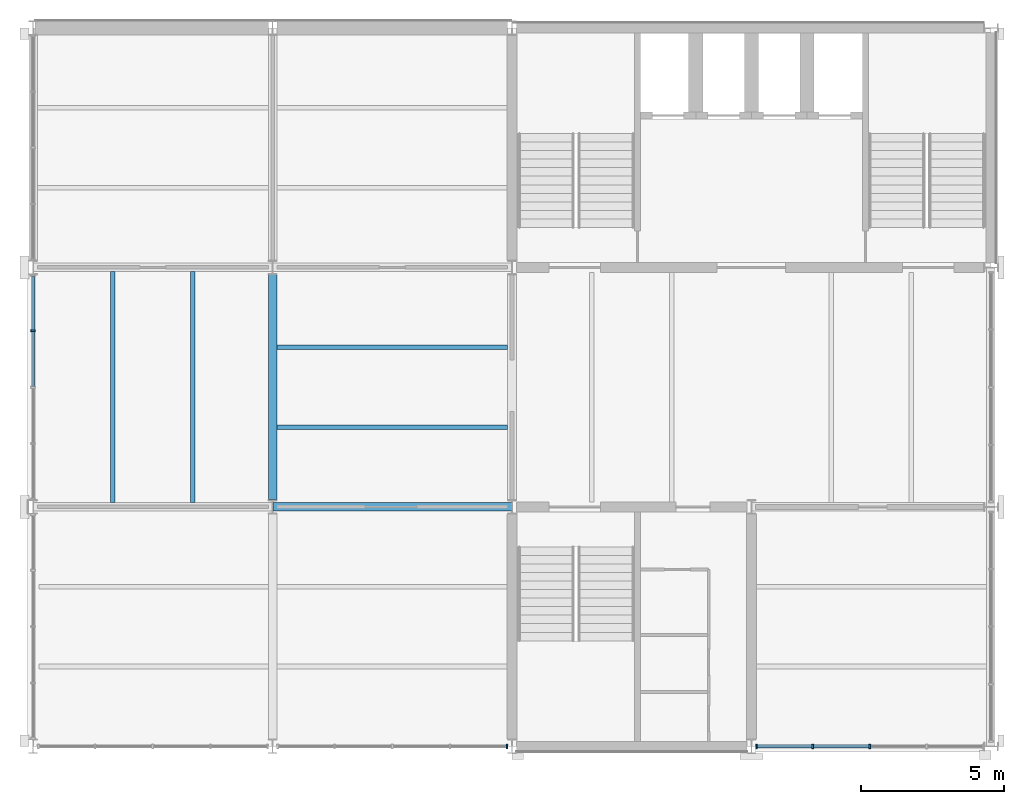
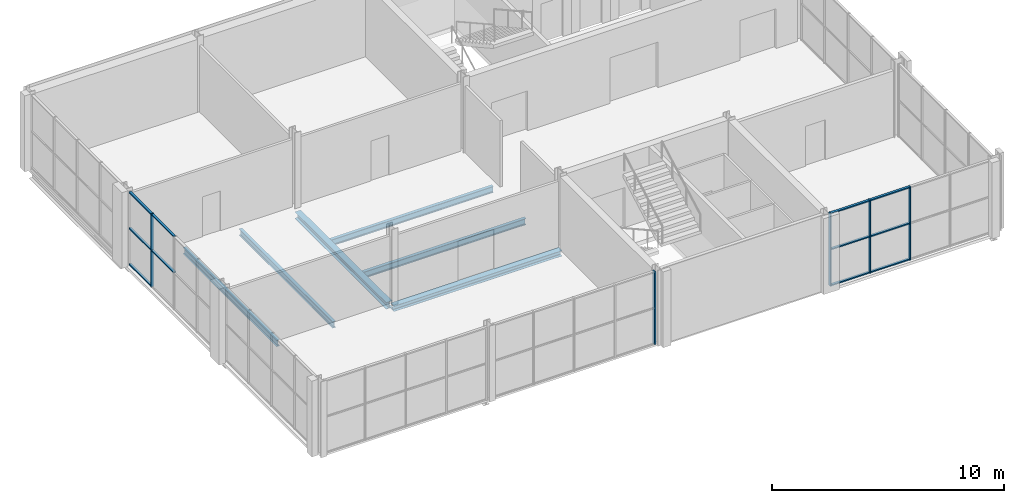
# One storey, part 3 of 12: 16 members, 6 beams, 3 elements without a shape of their own.
"""IFC4 building model written with IfcOpenShell, lengths in metres."""

from ifc_helpers import new_model, si_unit, direction, frame, origin, origin_2d, place, context, subcontext, project, spatial, rectangle, i_section, extrude, material, layer, layer_set, material_profile, profile_set, type_object, element, aggregate, save


model = new_model("IFC4")

# Units and contexts
model_context = context("Model", 3, precision=1e-05, world=origin(), true_north=direction((0.0, 1.0)))
body_context = subcontext(model_context, "Body", "Model", "MODEL_VIEW")
ifc_project = project(units=[si_unit("LENGTHUNIT", "METRE"), si_unit("AREAUNIT", "SQUARE_METRE"), si_unit("VOLUMEUNIT", "CUBIC_METRE"), si_unit("PLANEANGLEUNIT", "RADIAN"), si_unit("MASSUNIT", "GRAM", prefix="KILO")], contexts=[model_context])

# Site, building, storey
site_placement = place(None, origin())
site = spatial("IfcSite", under=ifc_project, at=site_placement, CompositionType="ELEMENT")
building_placement = place(site_placement, origin())
building = spatial("IfcBuilding", under=site, at=building_placement, Name="Galleria Vessillo Department Store", CompositionType="ELEMENT")
storey_placement = place(building_placement, frame((0.0, 0.0, 35.60009765625)))
storey = spatial("IfcBuildingStorey", under=building, at=storey_placement, Name="L07", CompositionType="ELEMENT", Elevation=35.60009765625)

# Curtain wall, member
ifc_material_1 = material(Name="Aluminium and glass curtain wall", Category="aluminium")
ifc_layer = layer(ifc_material_1, 0.159912109375)
ifc_layer_set = layer_set([ifc_layer], Name="Aluminium and glass curtain wall")
curtain_wall_type = type_object("IfcCurtainWallType", Name="Tower curtain wall CW4 2100 module", PredefinedType="NOTDEFINED", material=ifc_layer_set)
curtain_wall_1_placement = place(storey_placement, origin())
curtain_wall_1 = element("IfcCurtainWall", 1, at=curtain_wall_1_placement, inside=storey, type_object=curtain_wall_type, Name="Tower curtain wall CW4 2100 module TW-L07-02", PredefinedType="NOTDEFINED")
ifc_material_2 = material(Name="Aluminium alloy 6063 T6", Category="aluminium")
ifc_material_profile_1 = material_profile(ifc_material_2, rectangle(XDim=0.159912109375, YDim=0.06005859375, at=origin_2d()), Name="AL 60x160")
ifc_profile_set_1 = profile_set([ifc_material_profile_1], Name="Aluminium alloy 6063 T6")
member_type_1 = type_object("IfcMemberType", Name="Aluminium mullion 60 x 160", PredefinedType="MULLION", material=ifc_profile_set_1)
member_1_placement = place(storey_placement, frame((84.0, 52.375, 0.0), z_axis=(0.0, 0.0, 1.0), x_axis=(-1.0, 0.0, 0.0)))
member_1 = element("IfcMember", 2, at=member_1_placement, type_object=member_type_1, Name="CW4 mullion 4", PredefinedType="MULLION", context=body_context, shape_type="SweptSolid", body=[
    extrude(rectangle(XDim=0.159912109375, YDim=0.06005859375, at=origin_2d()), origin(), (0.0, 0.0, 1.0), 3.85009765625),
])

curtain_wall_2_placement = place(storey_placement, origin())
curtain_wall_2 = element("IfcCurtainWall", 3, at=curtain_wall_2_placement, inside=storey, type_object=curtain_wall_type, Name="Tower curtain wall CW4 2100 module TS-L07-02", PredefinedType="NOTDEFINED")
member_2_placement = place(storey_placement, frame((100.6201171875, 37.800048828125, 0.0), z_axis=(0.0, 0.0, 1.0), x_axis=(0.0, 1.0, 0.0)))
member_2 = element("IfcMember", 4, at=member_2_placement, type_object=member_type_1, Name="CW4 mullion 5", PredefinedType="MULLION", context=body_context, shape_type="SweptSolid", body=[
    extrude(rectangle(XDim=0.159912109375, YDim=0.06005859375, at=origin_2d()), origin(), (0.0, 0.0, 1.0), 3.85009765625),
])
aggregate(curtain_wall_2, [member_2])

# Curtain wall, members
curtain_wall_3_placement = place(storey_placement, origin())
curtain_wall_3 = element("IfcCurtainWall", 5, at=curtain_wall_3_placement, inside=storey, type_object=curtain_wall_type, Name="Tower curtain wall CW4 2100 module TS-L07-03", PredefinedType="NOTDEFINED")
member_3_placement = place(storey_placement, frame((109.3798828125, 37.800048828125, 0.0), z_axis=(0.0, 0.0, 1.0), x_axis=(0.0, 1.0, 0.0)))
member_3 = element("IfcMember", 6, at=member_3_placement, type_object=member_type_1, Name="CW4 mullion 1", PredefinedType="MULLION", context=body_context, shape_type="SweptSolid", body=[
    extrude(rectangle(XDim=0.159912109375, YDim=0.06005859375, at=origin_2d()), origin(), (0.0, 0.0, 1.0), 3.85009765625),
])
member_4_placement = place(storey_placement, frame((111.349853515625, 37.800048828125, 0.0), z_axis=(0.0, 0.0, 1.0), x_axis=(0.0, 1.0, 0.0)))
member_4 = element("IfcMember", 7, at=member_4_placement, type_object=member_type_1, Name="CW4 mullion 2", PredefinedType="MULLION", context=body_context, shape_type="SweptSolid", body=[
    extrude(rectangle(XDim=0.159912109375, YDim=0.06005859375, at=origin_2d()), origin(), (0.0, 0.0, 1.0), 3.85009765625),
])
member_5_placement = place(storey_placement, frame((113.35009765625, 37.800048828125, 0.0), z_axis=(0.0, 0.0, 1.0), x_axis=(0.0, 1.0, 0.0)))
member_5 = element("IfcMember", 8, at=member_5_placement, type_object=member_type_1, Name="CW4 mullion 3", PredefinedType="MULLION", context=body_context, shape_type="SweptSolid", body=[
    extrude(rectangle(XDim=0.159912109375, YDim=0.06005859375, at=origin_2d()), origin(), (0.0, 0.0, 1.0), 3.85009765625),
])

# Member
ifc_material_3 = material(Name="Aluminium alloy 6063 T6", Category="aluminium")
ifc_material_profile_2 = material_profile(ifc_material_3, rectangle(XDim=0.1201171875, YDim=0.06005859375, at=origin_2d()), Name="AL 60x120")
ifc_profile_set_2 = profile_set([ifc_material_profile_2], Name="Aluminium alloy 6063 T6")
member_type_2 = type_object("IfcMemberType", Name="Aluminium transom 60 x 120", PredefinedType="USERDEFINED", material=ifc_profile_set_2)
member_6_placement = place(storey_placement, frame((84.0, 50.429931640625, 1.925048828125), z_axis=(0.0, 1.0, 0.0), x_axis=(-1.0, 0.0, 0.0)))
member_6 = element("IfcMember", 9, at=member_6_placement, type_object=member_type_2, Name="CW4 transom 3.2", ObjectType="TRANSOM", PredefinedType="USERDEFINED", context=body_context, shape_type="SweptSolid", body=[
    extrude(rectangle(XDim=0.1201171875, YDim=0.06005859375, at=origin_2d()), origin(), (0.0, 0.0, 1.0), 1.9150390625),
])

member_7_placement = place(storey_placement, frame((84.0, 50.429931640625, 3.820068359375), z_axis=(0.0, 1.0, 0.0), x_axis=(-1.0, 0.0, 0.0)))
member_7 = element("IfcMember", 10, at=member_7_placement, type_object=member_type_2, Name="CW4 transom 3.3", ObjectType="TRANSOM", PredefinedType="USERDEFINED", context=body_context, shape_type="SweptSolid", body=[
    extrude(rectangle(XDim=0.1201171875, YDim=0.06005859375, at=origin_2d()), origin(), (0.0, 0.0, 1.0), 1.9150390625),
])

member_8_placement = place(storey_placement, frame((84.0, 52.405029296875, 0.030029296875), z_axis=(0.0, 1.0, 0.0), x_axis=(-1.0, 0.0, 0.0)))
member_8 = element("IfcMember", 11, at=member_8_placement, type_object=member_type_2, Name="CW4 transom 4.1", ObjectType="TRANSOM", PredefinedType="USERDEFINED", context=body_context, shape_type="SweptSolid", body=[
    extrude(rectangle(XDim=0.1201171875, YDim=0.06005859375, at=origin_2d()), origin(), (0.0, 0.0, 1.0), 1.885009765625),
])

member_9_placement = place(storey_placement, frame((84.0, 52.405029296875, 1.925048828125), z_axis=(0.0, 1.0, 0.0), x_axis=(-1.0, 0.0, 0.0)))
member_9 = element("IfcMember", 12, at=member_9_placement, type_object=member_type_2, Name="CW4 transom 4.2", ObjectType="TRANSOM", PredefinedType="USERDEFINED", context=body_context, shape_type="SweptSolid", body=[
    extrude(rectangle(XDim=0.1201171875, YDim=0.06005859375, at=origin_2d()), origin(), (0.0, 0.0, 1.0), 1.885009765625),
])

member_10_placement = place(storey_placement, frame((84.0, 52.405029296875, 3.820068359375), z_axis=(0.0, 1.0, 0.0), x_axis=(-1.0, 0.0, 0.0)))
member_10 = element("IfcMember", 13, at=member_10_placement, type_object=member_type_2, Name="CW4 transom 4.3", ObjectType="TRANSOM", PredefinedType="USERDEFINED", context=body_context, shape_type="SweptSolid", body=[
    extrude(rectangle(XDim=0.1201171875, YDim=0.06005859375, at=origin_2d()), origin(), (0.0, 0.0, 1.0), 1.885009765625),
])

aggregate(curtain_wall_1, [member_1, member_6, member_7, member_8, member_9, member_10])

member_11_placement = place(storey_placement, frame((109.409912109375, 37.800048828125, 0.030029296875), z_axis=(1.0, 0.0, 0.0), x_axis=(0.0, 1.0, 0.0)))
member_11 = element("IfcMember", 14, at=member_11_placement, type_object=member_type_2, Name="CW4 transom 1.1", ObjectType="TRANSOM", PredefinedType="USERDEFINED", context=body_context, shape_type="SweptSolid", body=[
    extrude(rectangle(XDim=0.1201171875, YDim=0.06005859375, at=origin_2d()), origin(), (0.0, 0.0, 1.0), 1.909912109375),
])

member_12_placement = place(storey_placement, frame((109.409912109375, 37.800048828125, 1.925048828125), z_axis=(1.0, 0.0, 0.0), x_axis=(0.0, 1.0, 0.0)))
member_12 = element("IfcMember", 15, at=member_12_placement, type_object=member_type_2, Name="CW4 transom 1.2", ObjectType="TRANSOM", PredefinedType="USERDEFINED", context=body_context, shape_type="SweptSolid", body=[
    extrude(rectangle(XDim=0.1201171875, YDim=0.06005859375, at=origin_2d()), origin(), (0.0, 0.0, 1.0), 1.909912109375),
])

member_13_placement = place(storey_placement, frame((109.409912109375, 37.800048828125, 3.820068359375), z_axis=(1.0, 0.0, 0.0), x_axis=(0.0, 1.0, 0.0)))
member_13 = element("IfcMember", 16, at=member_13_placement, type_object=member_type_2, Name="CW4 transom 1.3", ObjectType="TRANSOM", PredefinedType="USERDEFINED", context=body_context, shape_type="SweptSolid", body=[
    extrude(rectangle(XDim=0.1201171875, YDim=0.06005859375, at=origin_2d()), origin(), (0.0, 0.0, 1.0), 1.909912109375),
])

member_14_placement = place(storey_placement, frame((111.3798828125, 37.800048828125, 0.030029296875), z_axis=(1.0, 0.0, 0.0), x_axis=(0.0, 1.0, 0.0)))
member_14 = element("IfcMember", 17, at=member_14_placement, type_object=member_type_2, Name="CW4 transom 2.1", ObjectType="TRANSOM", PredefinedType="USERDEFINED", context=body_context, shape_type="SweptSolid", body=[
    extrude(rectangle(XDim=0.1201171875, YDim=0.06005859375, at=origin_2d()), origin(), (0.0, 0.0, 1.0), 1.940185546875),
])

member_15_placement = place(storey_placement, frame((111.3798828125, 37.800048828125, 1.925048828125), z_axis=(1.0, 0.0, 0.0), x_axis=(0.0, 1.0, 0.0)))
member_15 = element("IfcMember", 18, at=member_15_placement, type_object=member_type_2, Name="CW4 transom 2.2", ObjectType="TRANSOM", PredefinedType="USERDEFINED", context=body_context, shape_type="SweptSolid", body=[
    extrude(rectangle(XDim=0.1201171875, YDim=0.06005859375, at=origin_2d()), origin(), (0.0, 0.0, 1.0), 1.940185546875),
])

member_16_placement = place(storey_placement, frame((111.3798828125, 37.800048828125, 3.820068359375), z_axis=(1.0, 0.0, 0.0), x_axis=(0.0, 1.0, 0.0)))
member_16 = element("IfcMember", 19, at=member_16_placement, type_object=member_type_2, Name="CW4 transom 2.3", ObjectType="TRANSOM", PredefinedType="USERDEFINED", context=body_context, shape_type="SweptSolid", body=[
    extrude(rectangle(XDim=0.1201171875, YDim=0.06005859375, at=origin_2d()), origin(), (0.0, 0.0, 1.0), 1.940185546875),
])

aggregate(curtain_wall_3, [member_3, member_4, member_5, member_11, member_12, member_13, member_14, member_15, member_16])

# Beams
ifc_material_4 = material(Name="Steel S355 J2", Category="steel")
ifc_material_profile_3 = material_profile(ifc_material_4, i_section(OverallWidth=0.300048828125, OverallDepth=0.35009765625, WebThickness=0.010009765625, FlangeThickness=0.017578125, FilletRadius=0.027099609375, at=origin_2d()), Name="HEA 360")
ifc_profile_set_3 = profile_set([ifc_material_profile_3], Name="Steel S355 J2")
beam_type_1 = type_object("IfcBeamType", Name="Floor girder HEA 360", PredefinedType="BEAM", material=ifc_profile_set_3)
beam_1_placement = place(storey_placement, frame((92.39990234375, 46.4501953125, -0.324951171875), z_axis=(0.0, 1.0, 0.0), x_axis=(-1.0, 0.0, 0.0)))
element("IfcBeam", 20, at=beam_1_placement, inside=storey, type_object=beam_type_1, Name="S-BM-L07-GI-y92400-46450", PredefinedType="BEAM", context=body_context, shape_type="SweptSolid", body=[
    extrude(i_section(OverallWidth=0.300048828125, OverallDepth=0.35009765625, WebThickness=0.010009765625, FlangeThickness=0.017578125, FilletRadius=0.027099609375, at=origin_2d()), origin(), (0.0, 0.0, 1.0), 7.899658203125),
])
ifc_material_5 = material(Name="Steel S355 J2", Category="steel")
ifc_material_profile_4 = material_profile(ifc_material_5, i_section(OverallWidth=0.159912109375, OverallDepth=0.330078125, WebThickness=0.007568359375, FlangeThickness=0.011474609375, FilletRadius=0.01806640625, at=origin_2d()), Name="IPE 330")
ifc_profile_set_4 = profile_set([ifc_material_profile_4], Name="Steel S355 J2")
beam_type_2 = type_object("IfcBeamType", Name="Floor joist IPE 330", PredefinedType="JOIST", material=ifc_profile_set_4)
for number, where, z_axis, x_axis, name in (
    (21, (86.800048828125, 46.35009765625, -0.31494140625), (0.0, 1.0, 0.0), (-1.0, 0.0, 0.0), "S-BM-L07-JO-y86800-46350"),
    (22, (89.60009765625, 46.35009765625, -0.31494140625), (0.0, 1.0, 0.0), (-1.0, 0.0, 0.0), "S-BM-L07-JO-y89600-46350"),
    (23, (92.550048828125, 49.0, -0.31494140625), (1.0, 0.0, 0.0), (0.0, 1.0, 0.0), "S-BM-L07-JO-x49000-92550"),
    (24, (92.550048828125, 51.800048828125, -0.31494140625), (1.0, 0.0, 0.0), (0.0, 1.0, 0.0), "S-BM-L07-JO-x51800-92550"),
):
    element("IfcBeam", number, at=place(storey_placement, frame(where, z_axis=z_axis, x_axis=x_axis)), inside=storey, type_object=beam_type_2, Name=name, PredefinedType="JOIST", context=body_context, shape_type="SweptSolid", body=[
        extrude(i_section(OverallWidth=0.159912109375, OverallDepth=0.330078125, WebThickness=0.007568359375, FlangeThickness=0.011474609375, FilletRadius=0.01806640625, at=origin_2d()), origin(), (0.0, 0.0, 1.0), 8.099853515625),
    ])
ifc_material_6 = material(Name="Steel S355 J2", Category="steel")
ifc_material_profile_5 = material_profile(ifc_material_6, i_section(OverallWidth=0.300048828125, OverallDepth=0.2900390625, WebThickness=0.008544921875, FlangeThickness=0.013916015625, FilletRadius=0.027099609375, at=origin_2d()), Name="HEA 300")
ifc_profile_set_5 = profile_set([ifc_material_profile_5], Name="Steel S355 J2")
beam_type_3 = type_object("IfcBeamType", Name="Floor tie girder HEA 300", PredefinedType="BEAM", material=ifc_profile_set_5)
beam_2_placement = place(storey_placement, frame((92.407470703125, 46.199951171875, -0.294921875), z_axis=(1.0, 0.0, 0.0), x_axis=(0.0, 1.0, 0.0)))
element("IfcBeam", 25, at=beam_2_placement, inside=storey, type_object=beam_type_3, Name="S-BM-L07-TI-x46200-92407", PredefinedType="BEAM", context=body_context, shape_type="SweptSolid", body=[
    extrude(i_section(OverallWidth=0.300048828125, OverallDepth=0.2900390625, WebThickness=0.008544921875, FlangeThickness=0.013916015625, FilletRadius=0.027099609375, at=origin_2d()), origin(), (0.0, 0.0, 1.0), 8.38525390625),
])

save(model, "model.ifc")
